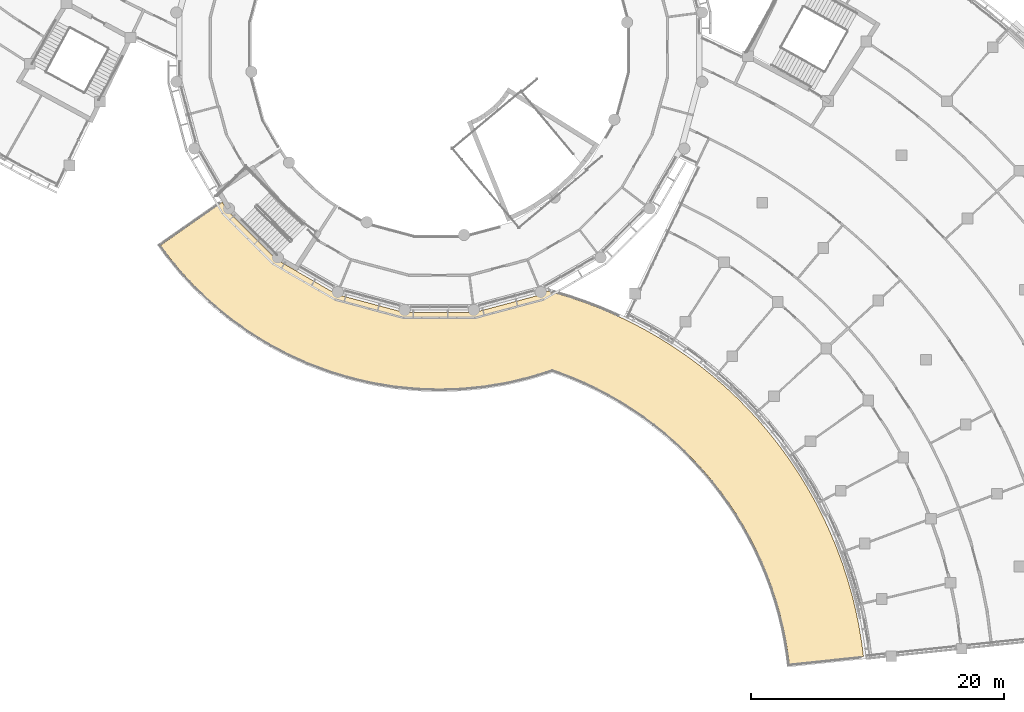
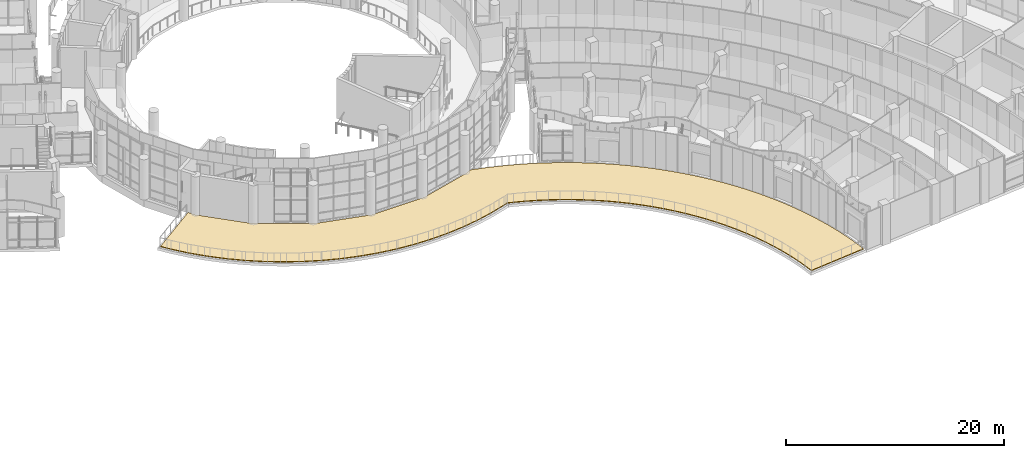
# One storey, part 113 of 136: 1 covering.
"""IFC4 building model written with IfcOpenShell, lengths in metres."""

from ifc_helpers import new_model, si_unit, direction, frame, origin, place, context, subcontext, project, spatial, polyline, outline, extrude, material, layer, layer_set, type_object, element, save


model = new_model("IFC4")

# Units and contexts
model_context = context("Model", 3, precision=1e-05, world=origin(), true_north=direction((0.0, 1.0)))
body_context = subcontext(model_context, "Body", "Model", "MODEL_VIEW")
ifc_project = project(units=[si_unit("LENGTHUNIT", "METRE"), si_unit("AREAUNIT", "SQUARE_METRE"), si_unit("VOLUMEUNIT", "CUBIC_METRE"), si_unit("PLANEANGLEUNIT", "RADIAN"), si_unit("MASSUNIT", "GRAM", prefix="KILO")], contexts=[model_context])

# Site, building, storey
site_placement = place(None, origin())
site = spatial("IfcSite", under=ifc_project, at=site_placement, CompositionType="ELEMENT")
building_placement = place(site_placement, origin())
building = spatial("IfcBuilding", under=site, at=building_placement, Name="Bougainvillea Quay General Hospital", CompositionType="ELEMENT")
storey_placement = place(building_placement, frame((0.0, 0.0, 5.39990234375)))
storey = spatial("IfcBuildingStorey", under=building, at=storey_placement, Name="L01", CompositionType="ELEMENT", Elevation=5.39990234375)

# Covering
ifc_material = material(Name="Concrete paving slabs on pedestals, light grey", Category="concrete")
ifc_layer = layer(ifc_material, 0.080078125)
ifc_layer_set = layer_set([ifc_layer], Name="Concrete paving slabs on pedestals, light grey")
covering_type = type_object("IfcCoveringType", Name="Paved roof terrace 80", PredefinedType="ROOFING", material=ifc_layer_set)
covering_placement = place(storey_placement, origin())
element("IfcCovering", 1, at=covering_placement, inside=storey, type_object=covering_type, Name="Paved roof terrace T-V7 1", PredefinedType="ROOFING", context=body_context, shape_type="SweptSolid", body=[
    extrude(outline(polyline([(119.46728515625, 54.202392578125), (120.701904296875, 53.782958984375), (121.919677734375, 53.315673828125), (123.11767578125, 52.8017578125), (124.295654296875, 52.241943359375), (125.450927734375, 51.63671875), (126.582275390625, 50.988525390625), (127.6865234375, 50.296630859375), (128.76416015625, 49.56201171875), (129.81298828125, 48.786376953125), (130.8310546875, 47.97216796875), (131.816162109375, 47.118408203125), (132.7685546875, 46.2275390625), (133.68505859375, 45.300048828125), (134.56591796875, 44.3388671875), (135.408935546875, 43.34375), (136.212158203125, 42.31689453125), (136.9755859375, 41.259033203125), (137.698486328125, 40.17333984375), (138.37841796875, 39.06103515625), (139.014404296875, 37.9228515625), (139.60595703125, 36.7607421875), (140.15283203125, 35.57763671875), (140.65380859375, 34.373779296875), (141.107177734375, 33.151123046875), (141.513671875, 31.912353515625), (141.87255859375, 30.65771484375), (142.181884765625, 29.391357421875), (142.4423828125, 28.11376953125), (142.654052734375, 26.827392578125), (142.790283203125, 25.731689453125), (136.92236328125, 25.114501953125), (136.81396484375, 25.984619140625), (136.6396484375, 27.046142578125), (136.42529296875, 28.1005859375), (136.16943359375, 29.147216796875), (135.873291015625, 30.181640625), (135.537841796875, 31.2041015625), (135.1630859375, 32.213134765625), (134.750244140625, 33.207275390625), (134.299072265625, 34.184326171875), (133.810546875, 35.143310546875), (133.28466796875, 36.0830078125), (132.7236328125, 37.00146484375), (132.12744140625, 37.89794921875), (131.497802734375, 38.770263671875), (130.833984375, 39.617431640625), (130.13818359375, 40.439208984375), (129.411865234375, 41.23291015625), (128.654541015625, 41.998291015625), (127.868896484375, 42.733642578125), (127.054931640625, 43.438720703125), (126.215087890625, 44.111572265625), (125.349853515625, 44.751220703125), (124.45947265625, 45.357421875), (123.5478515625, 45.928466796875), (122.6142578125, 46.46337890625), (121.660400390625, 46.962890625), (120.6884765625, 47.42529296875), (119.69921875, 47.849365234375), (118.694091796875, 48.235107421875), (118.138427734375, 48.424560546875), (117.96533203125, 48.359130859375), (117.65869140625, 48.261962890625), (116.414794921875, 47.884521484375), (115.898193359375, 47.750244140625), (114.801025390625, 47.494384765625), (114.2763671875, 47.3857421875), (113.005615234375, 47.176513671875), (112.675048828125, 47.12548828125), (111.069580078125, 46.967529296875), (110.653076171875, 46.94775390625), (109.442138671875, 46.907958984375), (108.896728515625, 46.909912109375), (107.764892578125, 46.94677734375), (107.25048828125, 46.975341796875), (105.80908203125, 47.117919921875), (105.639404296875, 47.13525390625), (104.04638671875, 47.3984375), (103.582763671875, 47.498046875), (102.45166015625, 47.761962890625), (101.919921875, 47.904296875), (100.81494140625, 48.23974609375), (100.356201171875, 48.388916015625), (98.84375, 48.95703125), (98.73291015625, 49.00634765625), (97.370361328125, 49.62451171875), (96.915283203125, 49.8544921875), (95.913818359375, 50.39013671875), (95.4384765625, 50.661865234375), (94.4208984375, 51.294921875), (94.058349609375, 51.528564453125), (92.7470703125, 52.46826171875), (92.506103515625, 52.662353515625), (91.490966796875, 53.493896484375), (91.093994140625, 53.8486328125), (90.271484375, 54.6181640625), (89.88916015625, 54.99560546875), (89.015869140625, 55.927734375), (88.783203125, 56.182861328125), (87.759765625, 57.429931640625), (87.515625, 57.759765625), (87.128173828125, 58.301025390625), (92.015869140625, 61.723876953125), (92.3798828125, 61.09326171875), (96.293212890625, 57.179931640625), (101.0869140625, 54.41259765625), (106.4326171875, 52.97998046875), (111.96728515625, 52.97998046875), (117.313232421875, 54.41259765625), (117.785400390625, 54.68505859375), (118.2177734375, 54.5751953125), (119.46728515625, 54.202392578125)])), origin(), (0.0, 0.0, 1.0), 0.080078125),
])

save(model, "model.ifc")
